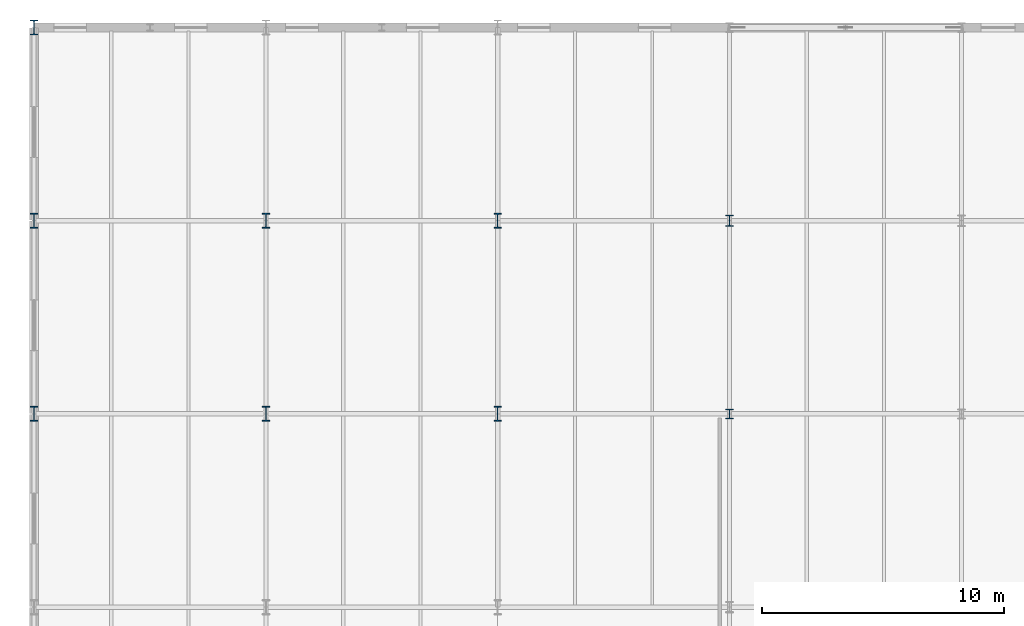
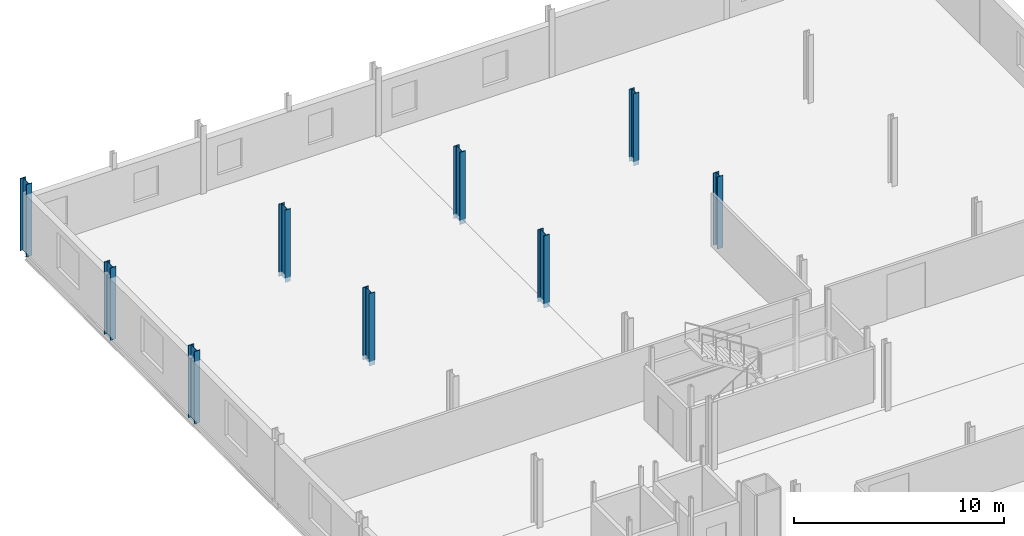
# One storey, part 13 of 85: 9 columns.
"""IFC4 building model written with IfcOpenShell, lengths in metres."""

from ifc_helpers import new_model, si_unit, direction, frame, origin, origin_2d, place, context, subcontext, project, spatial, i_section, extrude, material, material_profile, profile_set, type_object, element, save


model = new_model("IFC4")

# Units and contexts
model_context = context("Model", 3, precision=1e-05, world=origin(), true_north=direction((0.0, 1.0)))
body_context = subcontext(model_context, "Body", "Model", "MODEL_VIEW")
ifc_project = project(units=[si_unit("LENGTHUNIT", "METRE"), si_unit("AREAUNIT", "SQUARE_METRE"), si_unit("VOLUMEUNIT", "CUBIC_METRE"), si_unit("PLANEANGLEUNIT", "RADIAN"), si_unit("MASSUNIT", "GRAM", prefix="KILO")], contexts=[model_context])

# Site, building, storey
site_placement = place(None, origin())
site = spatial("IfcSite", under=ifc_project, at=site_placement, CompositionType="ELEMENT")
building_placement = place(site_placement, origin())
building = spatial("IfcBuilding", under=site, at=building_placement, Name="Alderhovde Museum", CompositionType="ELEMENT")
storey_placement = place(building_placement, frame((0.0, 0.0, 8.699951171875)))
storey = spatial("IfcBuildingStorey", under=building, at=storey_placement, Name="L02", CompositionType="ELEMENT", Elevation=8.699951171875)

# Columns
ifc_material_1 = material(Name="Steel S355J2", Category="steel")
ifc_material_profile_1 = material_profile(ifc_material_1, i_section(OverallWidth=0.300048828125, OverallDepth=0.39990234375, WebThickness=0.013427734375, FlangeThickness=0.02392578125, FilletRadius=0.027099609375, at=origin_2d()), Name="HEB 400")
ifc_profile_set_1 = profile_set([ifc_material_profile_1], Name="Steel S355J2")
column_type_1 = type_object("IfcColumnType", Name="COL-HEB400", PredefinedType="COLUMN", material=ifc_profile_set_1)
column_1_placement = place(storey_placement, frame((38.39990234375, 96.0, -0.260009765625), z_axis=(0.0, 0.0, 1.0), x_axis=(1.0, 0.0, 0.0)))
element("IfcColumn", 1, at=column_1_placement, inside=storey, type_object=column_type_1, Name="L02 Column (38.4, 96.0)", PredefinedType="COLUMN", context=body_context, shape_type="SweptSolid", body=[
    extrude(i_section(OverallWidth=0.300048828125, OverallDepth=0.39990234375, WebThickness=0.013427734375, FlangeThickness=0.02392578125, FilletRadius=0.027099609375, at=origin_2d()), origin(), (0.0, 0.0, 1.0), 4.199951171875),
])
ifc_material_2 = material(Name="Steel S355J2", Category="steel")
ifc_material_profile_2 = material_profile(ifc_material_2, i_section(OverallWidth=0.300048828125, OverallDepth=0.449951171875, WebThickness=0.013916015625, FlangeThickness=0.02587890625, FilletRadius=0.027099609375, at=origin_2d()), Name="HEB 450")
ifc_profile_set_2 = profile_set([ifc_material_profile_2], Name="Steel S355J2")
column_type_2 = type_object("IfcColumnType", Name="COL-HEB450", PredefinedType="COLUMN", material=ifc_profile_set_2)
column_2_placement = place(storey_placement, frame((38.39990234375, 104.0, -0.260009765625), z_axis=(0.0, 0.0, 1.0), x_axis=(1.0, 0.0, 0.0)))
element("IfcColumn", 2, at=column_2_placement, inside=storey, type_object=column_type_2, Name="L02 Column (38.4, 104.0)", PredefinedType="COLUMN", context=body_context, shape_type="SweptSolid", body=[
    extrude(i_section(OverallWidth=0.300048828125, OverallDepth=0.449951171875, WebThickness=0.013916015625, FlangeThickness=0.02587890625, FilletRadius=0.027099609375, at=origin_2d()), origin(), (0.0, 0.0, 1.0), 4.199951171875),
])
ifc_material_3 = material(Name="Steel S355J2", Category="steel")
ifc_material_profile_3 = material_profile(ifc_material_3, i_section(OverallWidth=0.304931640625, OverallDepth=0.6201171875, WebThickness=0.02099609375, FlangeThickness=0.0400390625, FilletRadius=0.027099609375, at=origin_2d()), Name="HEM 600")
ifc_profile_set_3 = profile_set([ifc_material_profile_3], Name="Steel S355J2")
column_type_3 = type_object("IfcColumnType", Name="COL-HEM600", PredefinedType="COLUMN", material=ifc_profile_set_3)
for number, where, z_axis, x_axis, name in (
    (3, (9.60009765625, 96.0, -0.260009765625), (0.0, 0.0, 1.0), (1.0, 0.0, 0.0), "L02 Column (9.6, 96.0)"),
    (4, (9.60009765625, 104.0, -0.260009765625), (0.0, 0.0, 1.0), (1.0, 0.0, 0.0), "L02 Column (9.6, 104.0)"),
    (5, (9.60009765625, 112.0, -0.260009765625), (0.0, 0.0, 1.0), (1.0, 0.0, 0.0), "L02 Column (9.6, 112.0)"),
    (6, (19.199951171875, 96.0, -0.260009765625), (0.0, 0.0, 1.0), (1.0, 0.0, 0.0), "L02 Column (19.2, 96.0)"),
    (7, (19.199951171875, 104.0, -0.260009765625), (0.0, 0.0, 1.0), (1.0, 0.0, 0.0), "L02 Column (19.2, 104.0)"),
    (8, (28.800048828125, 96.0, -0.260009765625), (0.0, 0.0, 1.0), (1.0, 0.0, 0.0), "L02 Column (28.8, 96.0)"),
    (9, (28.800048828125, 104.0, -0.260009765625), (0.0, 0.0, 1.0), (1.0, 0.0, 0.0), "L02 Column (28.8, 104.0)"),
):
    element("IfcColumn", number, at=place(storey_placement, frame(where, z_axis=z_axis, x_axis=x_axis)), inside=storey, type_object=column_type_3, Name=name, PredefinedType="COLUMN", context=body_context, shape_type="SweptSolid", body=[
        extrude(i_section(OverallWidth=0.304931640625, OverallDepth=0.6201171875, WebThickness=0.02099609375, FlangeThickness=0.0400390625, FilletRadius=0.027099609375, at=origin_2d()), origin(), (0.0, 0.0, 1.0), 4.199951171875),
    ])

save(model, "model.ifc")
